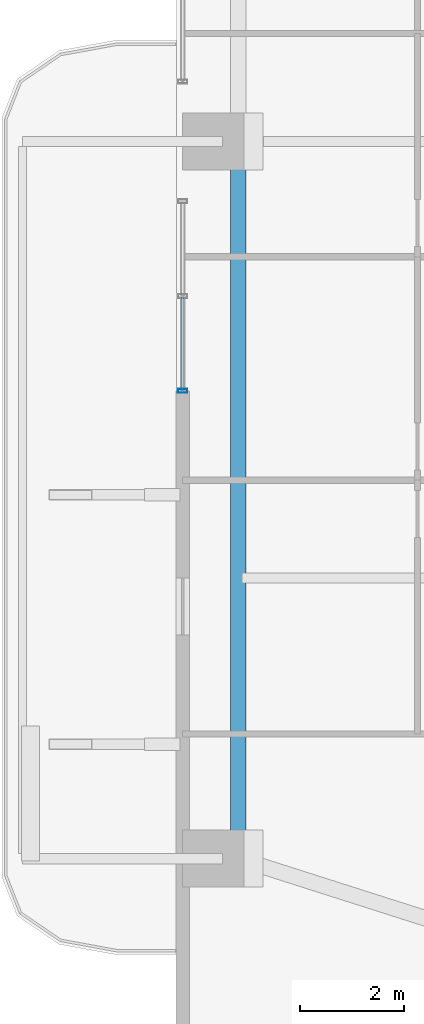
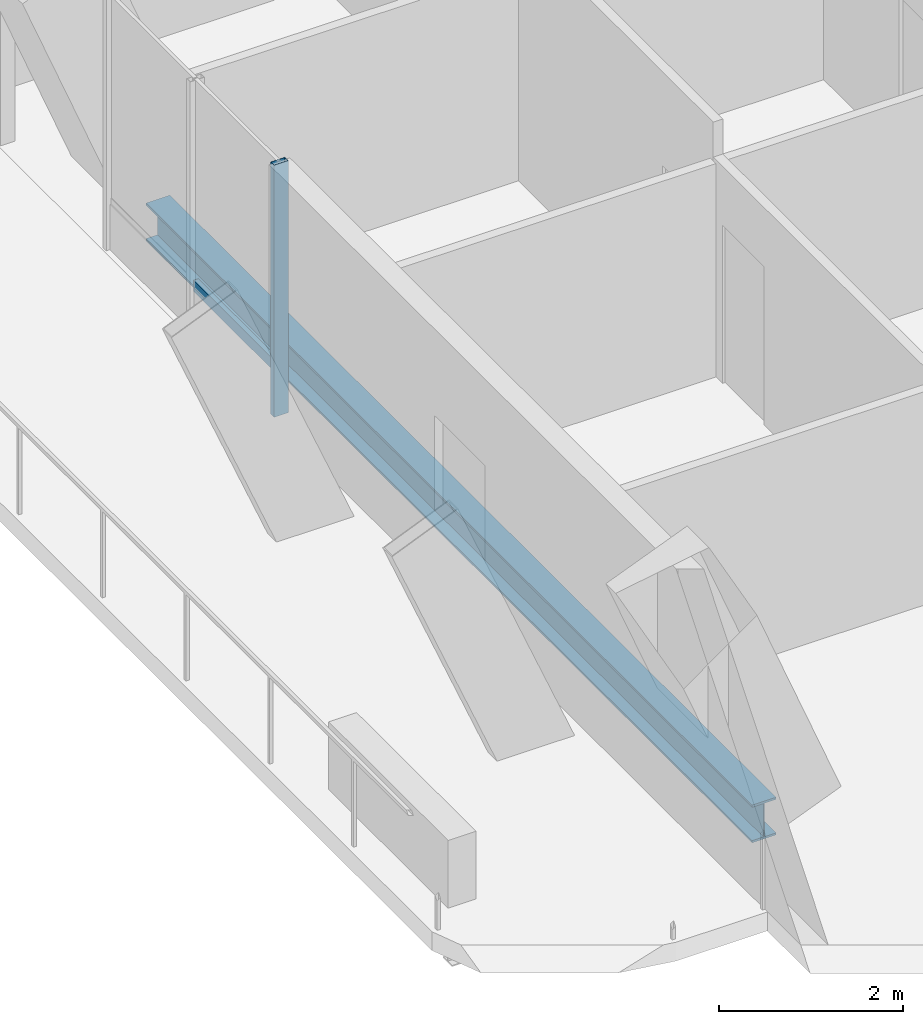
# One storey, part 4 of 24: 2 members, 1 beam, 1 element without a shape of its own.
"""IFC4 building model written with IfcOpenShell, lengths in metres."""

from ifc_helpers import new_model, si_unit, direction, frame, origin, origin_2d, place, context, subcontext, project, spatial, hollow_rectangle, i_section, extrude, material, layer, layer_set, material_profile, profile_set, type_object, element, aggregate, save


model = new_model("IFC4")

# Units and contexts
model_context = context("Model", 3, precision=1e-05, world=origin(), true_north=direction((0.0, 1.0)))
body_context = subcontext(model_context, "Body", "Model", "MODEL_VIEW")
ifc_project = project(units=[si_unit("LENGTHUNIT", "METRE"), si_unit("AREAUNIT", "SQUARE_METRE"), si_unit("VOLUMEUNIT", "CUBIC_METRE"), si_unit("PLANEANGLEUNIT", "RADIAN"), si_unit("MASSUNIT", "GRAM", prefix="KILO")], contexts=[model_context])

# Site, building, storey
site_placement = place(None, origin())
site = spatial("IfcSite", under=ifc_project, at=site_placement, CompositionType="ELEMENT")
building_placement = place(site_placement, origin())
building = spatial("IfcBuilding", under=site, at=building_placement, Name="Belovzor Exchange Tower", CompositionType="ELEMENT")
storey_placement = place(building_placement, frame((0.0, 0.0, 190.800048828125)))
storey = spatial("IfcBuildingStorey", under=building, at=storey_placement, Name="L47", CompositionType="ELEMENT", Elevation=190.800048828125)

# Curtain wall, members
ifc_material_1 = material(Name="Anodised Aluminium Framing", Category="aluminium")
ifc_layer = layer(ifc_material_1, 0.179931640625)
ifc_layer_set = layer_set([ifc_layer], Name="Anodised Aluminium Framing")
curtain_wall_type = type_object("IfcCurtainWallType", Name="Recessed Loggia Low-Iron Triple-Glazed Curtain Wall", PredefinedType="NOTDEFINED", material=ifc_layer_set)
curtain_wall_placement = place(storey_placement, origin())
curtain_wall = element("IfcCurtainWall", 1, at=curtain_wall_placement, inside=storey, type_object=curtain_wall_type, Name="CW3 Recessed Loggia Low-Iron Triple-Glazed Curtain Wall L47", PredefinedType="NOTDEFINED")
ifc_material_2 = material(Name="Steel S355", Category="steel")
ifc_material_profile_1 = material_profile(ifc_material_2, hollow_rectangle(XDim=0.074951171875, YDim=0.179931640625, WallThickness=0.0048828125, at=origin_2d()))
ifc_profile_set_1 = profile_set([ifc_material_profile_1], Name="Steel S355")
member_type_1 = type_object("IfcMemberType", Name="Thermally Broken Curtain Wall Mullion 180x75", PredefinedType="MULLION", material=ifc_profile_set_1)
member_1_placement = place(storey_placement, frame((4.6298828125, 24.0, 0.0), z_axis=(0.0, 0.0, 1.0), x_axis=(0.0, 1.0, 0.0)))
member_1 = element("IfcMember", 2, at=member_1_placement, type_object=member_type_1, Name="CW-M180 Curtain Wall Mullion 1", PredefinedType="MULLION", context=body_context, shape_type="SweptSolid", body=[
    extrude(hollow_rectangle(XDim=0.074951171875, YDim=0.179931640625, WallThickness=0.0048828125, at=origin_2d()), origin(), (0.0, 0.0, 1.0), 3.349853515625),
])
ifc_material_3 = material(Name="Steel S355", Category="steel")
ifc_material_profile_2 = material_profile(ifc_material_3, hollow_rectangle(XDim=0.06005859375, YDim=0.14990234375, WallThickness=0.00390625, at=origin_2d()))
ifc_profile_set_2 = profile_set([ifc_material_profile_2], Name="Steel S355")
member_type_2 = type_object("IfcMemberType", Name="Thermally Broken Curtain Wall Transom 150x60", PredefinedType="USERDEFINED", material=ifc_profile_set_2)
member_2_placement = place(storey_placement, frame((4.6298828125, 24.008056640625, 0.60302734375), z_axis=(0.0, 1.0, 0.0), x_axis=(-1.0, 0.0, 0.0)))
member_2 = element("IfcMember", 3, at=member_2_placement, type_object=member_type_2, Name="CW-T150 Curtain Wall Transom 1", ObjectType="TRANSOM", PredefinedType="USERDEFINED", context=body_context, shape_type="SweptSolid", body=[
    extrude(hollow_rectangle(XDim=0.06005859375, YDim=0.14990234375, WallThickness=0.00390625, at=origin_2d()), origin(), (0.0, 0.0, 1.0), 1.808837890625),
])
aggregate(curtain_wall, [member_1, member_2])

# Beam
ifc_material_4 = material(Name="Steel S355", Category="steel")
ifc_material_profile_3 = material_profile(ifc_material_4, i_section(OverallWidth=0.300048828125, OverallDepth=0.5, WebThickness=0.014404296875, FlangeThickness=0.028076171875, at=origin_2d()))
ifc_profile_set_3 = profile_set([ifc_material_profile_3], Name="Steel S355")
beam_type = type_object("IfcBeamType", Name="Zone 3 Waist Primary Girder HEB 500", PredefinedType="BEAM", material=ifc_profile_set_3)
beam_placement = place(storey_placement, frame((5.699951171875, 28.498046875, -0.505126953125), z_axis=(0.0, -1.0, 0.0), x_axis=(1.0, 0.0, 0.0)))
element("IfcBeam", 4, at=beam_placement, inside=storey, type_object=beam_type, Name="FG-Z3 Zone 3 Waist Primary Girder HEB 500", PredefinedType="BEAM", context=body_context, shape_type="SweptSolid", body=[
    extrude(i_section(OverallWidth=0.300048828125, OverallDepth=0.5, WebThickness=0.014404296875, FlangeThickness=0.028076171875, at=origin_2d()), origin(), (0.0, 0.0, 1.0), 13.195068359375),
])

save(model, "model.ifc")
